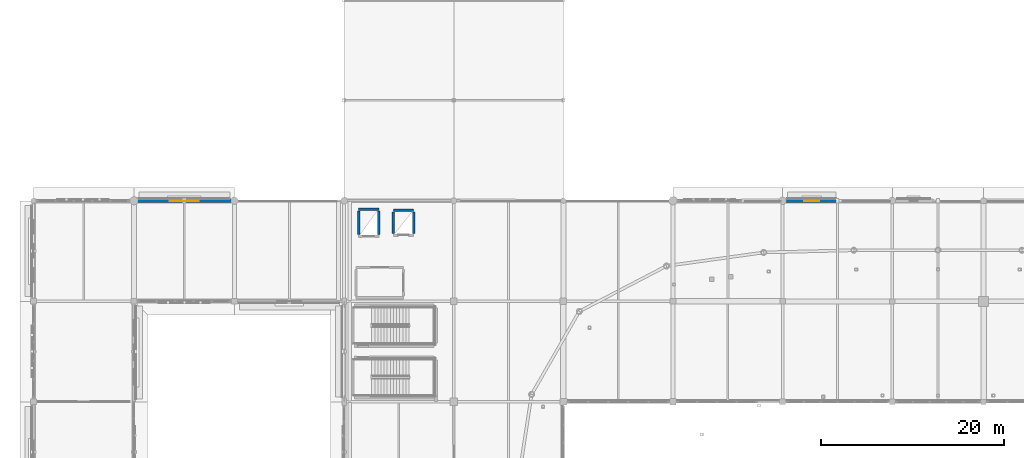
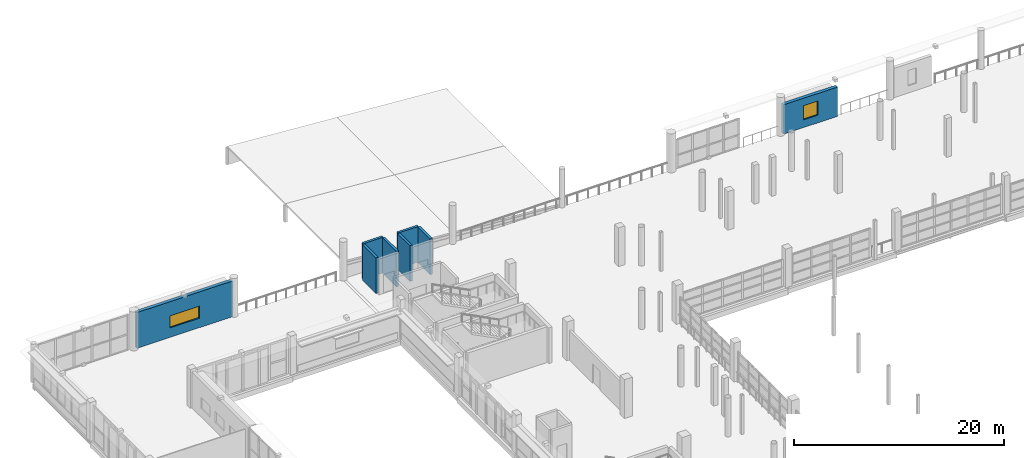
# One storey, part 84 of 118: 8 walls, 2 windows, 2 openings.
"""IFC4 building model written with IfcOpenShell, lengths in metres."""

import ifcopenshell
import ifcopenshell.guid

model = None  # the IFC model being written
_history = None  # IfcOwnerHistory: only IFC2X3 demands one
_inside = {}  # id of a spatial element -> (the spatial element, [elements in it])
_under = {}  # id of a project, library or spatial element -> (it, [spatial elements below it])
_declared = {}  # id of a project -> (the project, [libraries it declares])
_typed = {}  # id of a type object -> (the type object, [elements of that type])
_made_of = {}  # id of a material, layer set ... -> (it, [elements and type objects made of it])


def new_model(schema):
    """Start an empty IFC model of exactly this schema.

    Asked for "IFC4X3", IfcOpenShell would pick the latest addendum, in which some entities
    have other attributes; the version numbers below select the first issue.
    IFC2X3 requires an IfcOwnerHistory on every rooted entity: one is made here for all.
    """
    global model, _history
    if schema == "IFC4X3":
        model = ifcopenshell.file(schema_version=(4, 3, 0, 0))
    else:
        model = ifcopenshell.file(schema=schema)
    _inside.clear()
    _under.clear()
    _declared.clear()
    _typed.clear()
    _made_of.clear()
    _history = None
    if model.schema == "IFC2X3":
        org = make("IfcOrganization", Name="unknown")
        user = make(
            "IfcPersonAndOrganization",
            ThePerson=make("IfcPerson", FamilyName="unknown"),
            TheOrganization=org,
        )
        app = make(
            "IfcApplication",
            ApplicationDeveloper=org,
            Version="unknown",
            ApplicationFullName="unknown",
            ApplicationIdentifier="unknown",
        )
        _history = make(
            "IfcOwnerHistory",
            OwningUser=user,
            OwningApplication=app,
            ChangeAction="ADDED",
            CreationDate=0,
        )
    return model


def make(cls, **values):
    """One entity of the class cls with the attributes given. An attribute that is None is left unset."""
    return model.create_entity(
        cls, **{name: value for name, value in values.items() if value is not None}
    )


def rooted(cls, **values):
    """An entity with a GlobalId (a new one), such as an element, a storey or a relation."""
    return make(cls, GlobalId=ifcopenshell.guid.new(), OwnerHistory=_history, **values)


def si_unit(unit_type, name, prefix=None):
    """IfcSIUnit, for example si_unit("LENGTHUNIT", "METRE", prefix="MILLI")."""
    return make("IfcSIUnit", UnitType=unit_type, Prefix=prefix, Name=name)


def assignment(units):
    """IfcUnitAssignment: the units of a project."""
    return None if units is None else make("IfcUnitAssignment", Units=units)


def point(xyz):
    """IfcCartesianPoint."""
    return None if xyz is None else make("IfcCartesianPoint", Coordinates=xyz)


def direction(xyz):
    """IfcDirection."""
    return None if xyz is None else make("IfcDirection", DirectionRatios=xyz)


def frame(location, z_axis=None, x_axis=None):
    """IfcAxis2Placement3D, a coordinate frame: its origin and axes. An axis left out is left unset."""
    return make(
        "IfcAxis2Placement3D",
        Location=point(location),
        Axis=direction(z_axis),
        RefDirection=direction(x_axis),
    )


def frame_2d(location, x_axis=None):
    """IfcAxis2Placement2D, a coordinate frame in the plane: its origin and x axis."""
    return make(
        "IfcAxis2Placement2D", Location=point(location), RefDirection=direction(x_axis)
    )


def origin():
    """The frame at (0, 0, 0) with its axes left unset."""
    return frame((0.0, 0.0, 0.0))


def place(relative_to, where):
    """IfcLocalPlacement: puts the frame where relative to a parent placement (None: the world)."""
    return make(
        "IfcLocalPlacement", PlacementRelTo=relative_to, RelativePlacement=where
    )


def context(
    kind, dimensions, precision=None, world=None, true_north=None, identifier=None
):
    """IfcGeometricRepresentationContext, for example the 3D "Model" context."""
    return make(
        "IfcGeometricRepresentationContext",
        ContextIdentifier=identifier,
        ContextType=kind,
        CoordinateSpaceDimension=dimensions,
        Precision=precision,
        WorldCoordinateSystem=world,
        TrueNorth=true_north,
    )


def subcontext(parent, identifier, kind, view, scale=None):
    """IfcGeometricRepresentationSubContext, for example "Body" below "Model"."""
    return make(
        "IfcGeometricRepresentationSubContext",
        ContextIdentifier=identifier,
        ContextType=kind,
        ParentContext=parent,
        TargetScale=scale,
        TargetView=view,
    )


def project(units=None, contexts=None):
    """IfcProject with its units and contexts."""
    return rooted(
        "IfcProject",
        Name="project",
        RepresentationContexts=contexts,
        UnitsInContext=assignment(units),
    )


def spatial(cls, under=None, at=None, **own):
    """A site, building, storey or space (cls), placed at a placement, below another one or the project."""
    s = rooted(cls, ObjectPlacement=at, **own)
    if under is not None:
        _under.setdefault(under.id(), (under, []))[1].append(s)
    return s


def profile(cls, at=None, kind="AREA", **sizes):
    """A parametric profile (cls). Its sizes go by their IFC names, for example OverallWidth=200.0."""
    return make(cls, ProfileType=kind, Position=at, **sizes)


def rectangle(**sizes):
    """IfcRectangleProfileDef."""
    return profile("IfcRectangleProfileDef", **sizes)


def extrude(swept, where, along, depth):
    """IfcExtrudedAreaSolid: the profile swept, set in the frame where, extruded along a direction by depth."""
    return make(
        "IfcExtrudedAreaSolid",
        SweptArea=swept,
        Position=where,
        ExtrudedDirection=direction(along),
        Depth=depth,
    )


def shape(context_of_items, identifier, shape_type, items):
    """IfcShapeRepresentation: the items that make up one representation, for example the "Body"."""
    return make(
        "IfcShapeRepresentation",
        ContextOfItems=context_of_items,
        RepresentationIdentifier=identifier,
        RepresentationType=shape_type,
        Items=items,
    )


def material(Name=None, Category=None):
    """IfcMaterial."""
    return make("IfcMaterial", Name=Name, Category=Category)


def layer(
    of_material, thickness, ventilated=None, Name=None, Category=None, Priority=None
):
    """IfcMaterialLayer: one layer of a wall or slab, of a material (None: an air gap)."""
    return make(
        "IfcMaterialLayer",
        Material=of_material,
        LayerThickness=thickness,
        IsVentilated=ventilated,
        Name=Name,
        Category=Category,
        Priority=Priority,
    )


def layer_set(layers, Name=None):
    """IfcMaterialLayerSet."""
    return make("IfcMaterialLayerSet", MaterialLayers=layers, LayerSetName=Name)


def made_of(thing, what):
    """Note that an element or type object is made of a material, layer set ...; save() writes the relation."""
    if what is not None:
        _made_of.setdefault(what.id(), (what, []))[1].append(thing)
    return thing


def type_object(cls, material=None, **own):
    """A type object (cls), such as IfcWallType, which elements share."""
    return made_of(rooted(cls, **own), material)


def element(
    cls,
    number,
    at=None,
    inside=None,
    cuts=None,
    type_object=None,
    material=None,
    context=None,
    identifier="Body",
    shape_type=None,
    held_by="IfcProductDefinitionShape",
    body=None,
    shapes=None,
    **own,
):
    """One element of the class cls, such as IfcWall. Its Tag is "e" and its number.

    at: its placement. inside: the storey or other place that contains it. cuts: it is an
    opening in that element (IfcRelVoidsElement). A single representation is given by context,
    identifier, shape_type and body (its items); several are given by shapes. held_by: the class
    of the entity that holds the representations. save() writes the other relations.
    """
    e = rooted(cls, Tag="e%d" % number, ObjectPlacement=at, **own)
    if body is not None:
        shapes = [shape(context, identifier, shape_type, body)]
    if shapes is not None:
        e.Representation = make(held_by, Representations=shapes)
    if inside is not None:
        _inside.setdefault(inside.id(), (inside, []))[1].append(e)
    if cuts is not None:
        rooted(
            "IfcRelVoidsElement", RelatingBuildingElement=cuts, RelatedOpeningElement=e
        )
    if type_object is not None:
        _typed.setdefault(type_object.id(), (type_object, []))[1].append(e)
    return made_of(e, material)


def fill(opening, filler):
    """IfcRelFillsElement: the door or window that sits in an opening."""
    return rooted(
        "IfcRelFillsElement",
        RelatingOpeningElement=opening,
        RelatedBuildingElement=filler,
    )


def aggregate(whole, parts):
    """IfcRelAggregates: a whole, such as a stair, and the parts it consists of."""
    return rooted("IfcRelAggregates", RelatingObject=whole, RelatedObjects=parts)


def save(model, path):
    """Write the relations noted so far, then the file.

    IfcRelAggregates (storeys below a building ...), IfcRelContainedInSpatialStructure (elements
    in a storey), IfcRelDefinesByType, IfcRelAssociatesMaterial and IfcRelDeclares: one each for
    every whole, place, type object, material and project.
    """
    for whole, parts in _under.values():
        aggregate(whole, parts)
    for where, things in _inside.values():
        rooted(
            "IfcRelContainedInSpatialStructure",
            RelatedElements=things,
            RelatingStructure=where,
        )
    for kind, things in _typed.values():
        rooted("IfcRelDefinesByType", RelatedObjects=things, RelatingType=kind)
    for what, things in _made_of.values():
        rooted("IfcRelAssociatesMaterial", RelatedObjects=things, RelatingMaterial=what)
    for by, libraries in _declared.values():
        rooted("IfcRelDeclares", RelatingContext=by, RelatedDefinitions=libraries)
    model.write(path)


model = new_model("IFC4")

# Units and contexts
model_context = context("Model", 3, precision=1e-05, world=origin(), true_north=direction((0.0, 1.0)))
body_context = subcontext(model_context, "Body", "Model", "MODEL_VIEW")
ifc_project = project(units=[si_unit("LENGTHUNIT", "METRE"), si_unit("AREAUNIT", "SQUARE_METRE"), si_unit("VOLUMEUNIT", "CUBIC_METRE"), si_unit("PLANEANGLEUNIT", "RADIAN"), si_unit("MASSUNIT", "GRAM", prefix="KILO")], contexts=[model_context])

# Site, building, storey
site_placement = place(None, origin())
site = spatial("IfcSite", under=ifc_project, at=site_placement, CompositionType="ELEMENT")
building_placement = place(site_placement, origin())
building = spatial("IfcBuilding", under=site, at=building_placement, Name="Luwafu Chhajja Arena", CompositionType="ELEMENT")
storey_placement = place(building_placement, frame((0.0, 0.0, 10.199951171875)))
storey = spatial("IfcBuildingStorey", under=building, at=storey_placement, Name="L02", CompositionType="ELEMENT", Elevation=10.199951171875)

# Walls
ifc_material_1 = material(Name="Concrete C35/45", Category="concrete")
ifc_layer_1 = layer(ifc_material_1, 0.260009765625, Name="Concrete C35/45")
ifc_layer_set_1 = layer_set([ifc_layer_1], Name="Concrete C35/45")
wall_type_1 = type_object("IfcWallType", Name="Lift and Riser Shaft Wall 260", PredefinedType="SOLIDWALL", material=ifc_layer_set_1)
wall_1_placement = place(storey_placement, frame((35.590087890625, 98.0849609375, 0.0), z_axis=(0.0, 0.0, 1.0), x_axis=(1.0, 0.0, 0.0)))
element("IfcWall", 1, at=wall_1_placement, inside=storey, type_object=wall_type_1, Name="L02 Lift LF-03 Shaft Wall N", PredefinedType="SOLIDWALL", context=body_context, shape_type="SweptSolid", body=[
    extrude(rectangle(XDim=2.219970703125, YDim=0.260009765625, at=frame_2d((1.10986328125, 0.0))), origin(), (0.0, 0.0, 1.0), 4.14013671875),
])
for number, where, z_axis, x_axis, name in (
    (2, (35.590087890625, 95.31494140625, 0.0), (0.0, 0.0, 1.0), (0.0, 1.0, 0.0), "L02 Lift LF-03 Shaft Wall W"),
    (3, (37.81005859375, 95.31494140625, 0.0), (0.0, 0.0, 1.0), (0.0, 1.0, 0.0), "L02 Lift LF-03 Shaft Wall E"),
):
    element("IfcWall", number, at=place(storey_placement, frame(where, z_axis=z_axis, x_axis=x_axis)), inside=storey, type_object=wall_type_1, Name=name, PredefinedType="SOLIDWALL", context=body_context, shape_type="SweptSolid", body=[
        extrude(rectangle(XDim=2.570068359375, YDim=0.260009765625, at=frame_2d((1.28515625, 0.0))), origin(), (0.0, 0.0, 1.0), 4.14013671875),
    ])
wall_2_placement = place(storey_placement, frame((39.389892578125, 97.9599609375, 0.0), z_axis=(0.0, 0.0, 1.0), x_axis=(1.0, 0.0, 0.0)))
element("IfcWall", 4, at=wall_2_placement, inside=storey, type_object=wall_type_1, Name="L02 Lift LF-07 Shaft Wall N", PredefinedType="SOLIDWALL", context=body_context, shape_type="SweptSolid", body=[
    extrude(rectangle(XDim=2.22021484375, YDim=0.260009765625, at=frame_2d((1.110107421875, 0.0))), origin(), (0.0, 0.0, 1.0), 4.14013671875),
])
for number, where, z_axis, x_axis, name in (
    (5, (39.389892578125, 95.43994140625, 0.0), (0.0, 0.0, 1.0), (0.0, 1.0, 0.0), "L02 Lift LF-07 Shaft Wall W"),
    (6, (41.610107421875, 95.43994140625, 0.0), (0.0, 0.0, 1.0), (0.0, 1.0, 0.0), "L02 Lift LF-07 Shaft Wall E"),
):
    element("IfcWall", number, at=place(storey_placement, frame(where, z_axis=z_axis, x_axis=x_axis)), inside=storey, type_object=wall_type_1, Name=name, PredefinedType="SOLIDWALL", context=body_context, shape_type="SweptSolid", body=[
        extrude(rectangle(XDim=2.320068359375, YDim=0.260009765625, at=frame_2d((1.16015625, 0.0))), origin(), (0.0, 0.0, 1.0), 4.14013671875),
    ])

# Wall, opening, window
ifc_layer_2 = layer(ifc_material_1, 0.360107421875, Name="Concrete C35/45")
ifc_layer_set_2 = layer_set([ifc_layer_2], Name="Concrete C35/45")
wall_type_2 = type_object("IfcWallType", Name="Sandstone Backed Exterior Wall 360", PredefinedType="SOLIDWALL", material=ifc_layer_set_2)
wall_3_placement = place(storey_placement, frame((11.219970703125, 99.0, 0.0), z_axis=(0.0, 0.0, 1.0), x_axis=(1.0, 0.0, 0.0)))
wall_3 = element("IfcWall", 7, at=wall_3_placement, inside=storey, type_object=wall_type_2, Name="L02 Exterior Wall WEX-L02-158", PredefinedType="SOLIDWALL", context=body_context, shape_type="SweptSolid", body=[
    extrude(rectangle(XDim=10.56005859375, YDim=0.360107421875, at=frame_2d((5.280029296875, 0.0))), origin(), (0.0, 0.0, 1.0), 4.14501953125),
])
opening_1_placement = place(wall_3_placement, frame((3.679931640625, 0.0, 1.10009765625)))
opening_1 = element("IfcOpeningElement", 8, at=opening_1_placement, cuts=wall_3, Name="Opening WN-08", PredefinedType="OPENING", context=body_context, shape_type="SweptSolid", body=[
    extrude(rectangle(XDim=3.199951171875, YDim=1.39990234375, at=frame_2d((1.60009765625, 0.699951171875))), frame((0.0, 0.18994140625, 0.0), z_axis=(0.0, -1.0, 0.0), x_axis=(1.0, 0.0, 0.0)), (0.0, 0.0, 1.0), 0.380126953125),
])
ifc_material_2 = material(Name="Solar-control laminated glass", Category="glass")
window_type_1 = type_object("IfcWindowType", Name="Warm-Up Court Clerestory Window 3200x1400", PartitioningType="SINGLE_PANEL", PredefinedType="WINDOW", material=ifc_material_2)
window_1_placement = place(opening_1_placement, origin())
window_1 = element("IfcWindow", 9, at=window_1_placement, inside=storey, type_object=window_type_1, Name="L02 Facade Window 092", OverallHeight=1.39990234375, OverallWidth=3.199951171875, PartitioningType="SINGLE_PANEL", PredefinedType="WINDOW", context=body_context, shape_type="SweptSolid", body=[
    extrude(rectangle(XDim=3.199951171875, YDim=1.39990234375, at=frame_2d((1.60009765625, 0.699951171875))), frame((0.0, 0.030029296875, 0.0), z_axis=(0.0, -1.0, 0.0), x_axis=(1.0, 0.0, 0.0)), (0.0, 0.0, 1.0), 0.06005859375),
])
fill(opening_1, window_1)

wall_4_placement = place(storey_placement, frame((82.219970703125, 99.0, 0.0), z_axis=(0.0, 0.0, 1.0), x_axis=(1.0, 0.0, 0.0)))
wall_4 = element("IfcWall", 10, at=wall_4_placement, inside=storey, type_object=wall_type_2, Name="L02 Exterior Wall WEX-L02-163", PredefinedType="SOLIDWALL", context=body_context, shape_type="SweptSolid", body=[
    extrude(rectangle(XDim=5.93701171875, YDim=0.360107421875, at=frame_2d((2.968505859375, 0.0))), origin(), (0.0, 0.0, 1.0), 3.405029296875),
])
opening_2_placement = place(wall_4_placement, frame((2.168701171875, 0.0, 0.89990234375)))
opening_2 = element("IfcOpeningElement", 11, at=opening_2_placement, cuts=wall_4, Name="Opening WN-13", PredefinedType="OPENING", context=body_context, shape_type="SweptSolid", body=[
    extrude(rectangle(XDim=1.60009765625, YDim=1.64990234375, at=frame_2d((0.800048828125, 0.824951171875))), frame((0.0, 0.18994140625, 0.0), z_axis=(0.0, -1.0, 0.0), x_axis=(1.0, 0.0, 0.0)), (0.0, 0.0, 1.0), 0.380126953125),
])
window_type_2 = type_object("IfcWindowType", Name="Administration Office Window 1600x1650", PartitioningType="SINGLE_PANEL", PredefinedType="WINDOW", material=ifc_material_2)
window_2_placement = place(opening_2_placement, origin())
window_2 = element("IfcWindow", 12, at=window_2_placement, inside=storey, type_object=window_type_2, Name="L02 Facade Window 097", OverallHeight=1.64990234375, OverallWidth=1.60009765625, PartitioningType="SINGLE_PANEL", PredefinedType="WINDOW", context=body_context, shape_type="SweptSolid", body=[
    extrude(rectangle(XDim=1.60009765625, YDim=1.64990234375, at=frame_2d((0.800048828125, 0.824951171875))), frame((0.0, 0.030029296875, 0.0), z_axis=(0.0, -1.0, 0.0), x_axis=(1.0, 0.0, 0.0)), (0.0, 0.0, 1.0), 0.06005859375),
])
fill(opening_2, window_2)

save(model, "model.ifc")
